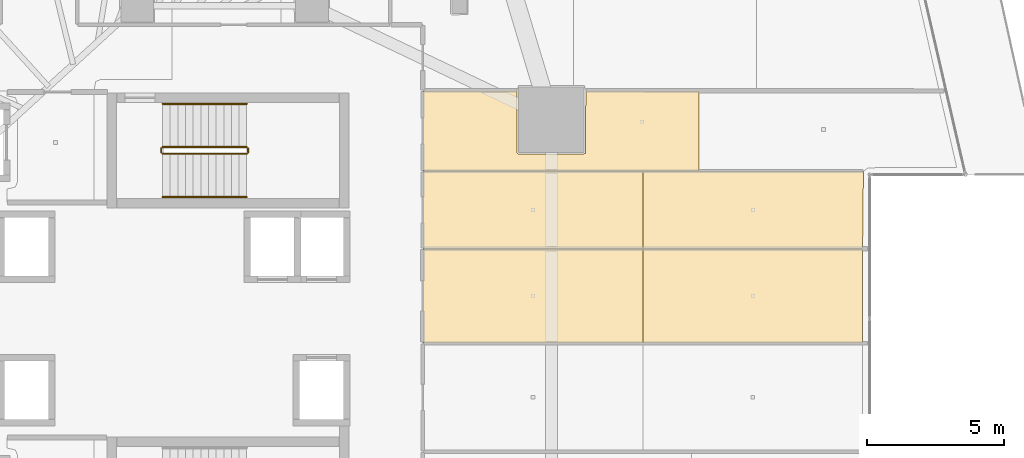
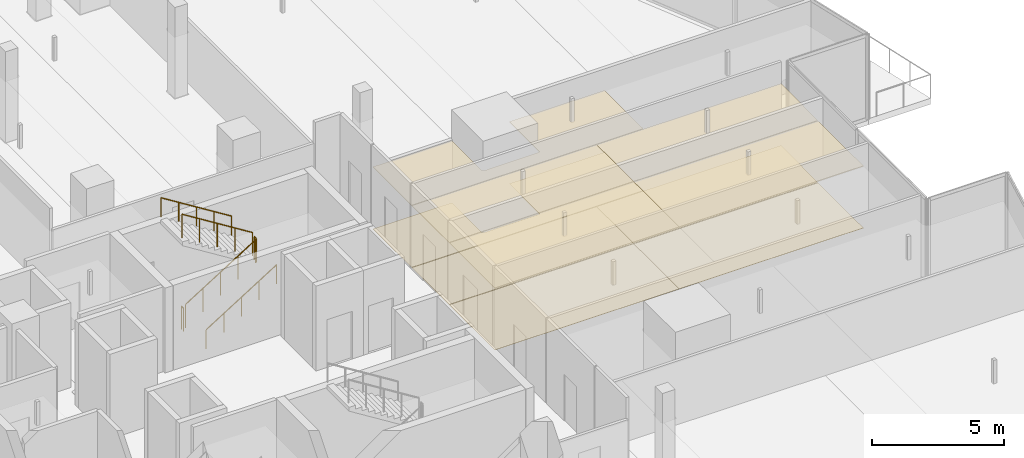
# One storey, part 43 of 44: 10 coverings, 6 railings.
"""IFC4 building model written with IfcOpenShell, lengths in metres."""

from ifc_helpers import new_model, si_unit, direction, frame, origin, origin_2d, place, context, subcontext, project, spatial, polyline, circle, outline, extrude, material, layer, layer_set, type_object, element, save


model = new_model("IFC4")

# Units and contexts
model_context = context("Model", 3, precision=1e-05, world=origin(), true_north=direction((0.0, 1.0)))
body_context = subcontext(model_context, "Body", "Model", "MODEL_VIEW")
ifc_project = project(units=[si_unit("LENGTHUNIT", "METRE"), si_unit("AREAUNIT", "SQUARE_METRE"), si_unit("VOLUMEUNIT", "CUBIC_METRE"), si_unit("PLANEANGLEUNIT", "RADIAN"), si_unit("MASSUNIT", "GRAM", prefix="KILO")], contexts=[model_context])

# Site, building, storey
site_placement = place(None, origin())
site = spatial("IfcSite", under=ifc_project, at=site_placement, CompositionType="ELEMENT")
building_placement = place(site_placement, origin())
building = spatial("IfcBuilding", under=site, at=building_placement, Name="Qorvath Tower", CompositionType="ELEMENT")
storey_placement = place(building_placement, frame((0.0, 0.0, 57.60009765625)))
storey = spatial("IfcBuildingStorey", under=building, at=storey_placement, Name="L12", CompositionType="ELEMENT", Elevation=57.60009765625)

# Coverings
ifc_material_1 = material(Name="Acoustic mineral fibre ceiling tile", Category="gypsum")
ifc_layer_1 = layer(ifc_material_1, 0.030029296875)
ifc_layer_set_1 = layer_set([ifc_layer_1], Name="COV-CEIL")
covering_type_1 = type_object("IfcCoveringType", Name="COV-CEIL", PredefinedType="CEILING", material=ifc_layer_set_1)
covering_1_placement = place(storey_placement, frame((0.0, 0.0, 2.849853515625)))
element("IfcCovering", 1, at=covering_1_placement, inside=storey, type_object=covering_type_1, Name="L12 Suspended Acoustic Ceiling 034", PredefinedType="CEILING", context=body_context, shape_type="SweptSolid", body=[
    extrude(outline(polyline([(-13.136962890625, -0.887451171875), (-5.086181640625, -0.887451171875), (-5.086181640625, 2.552490234375), (-13.136962890625, 2.552490234375), (-13.136962890625, -0.887451171875)])), origin(), (0.0, 0.0, 1.0), 0.030029296875),
])
covering_2_placement = place(storey_placement, frame((0.0, 0.0, 2.849853515625)))
element("IfcCovering", 2, at=covering_2_placement, inside=storey, type_object=covering_type_1, Name="L12 Suspended Acoustic Ceiling 035", PredefinedType="CEILING", context=body_context, shape_type="SweptSolid", body=[
    extrude(outline(polyline([(-5.086181640625, 2.552490234375), (-5.086181640625, -0.887451171875), (2.96435546875, -0.887451171875), (2.96435546875, 2.552490234375), (-5.086181640625, 2.552490234375)])), origin(), (0.0, 0.0, 1.0), 0.030029296875),
])
covering_3_placement = place(storey_placement, frame((0.0, 0.0, 2.849853515625)))
element("IfcCovering", 3, at=covering_3_placement, inside=storey, type_object=covering_type_1, Name="L12 Suspended Acoustic Ceiling 036", PredefinedType="CEILING", context=body_context, shape_type="SweptSolid", body=[
    extrude(outline(polyline([(-13.136962890625, 2.570556640625), (-5.0791015625, 2.570556640625), (-5.0791015625, 5.382568359375), (-13.136962890625, 5.382568359375), (-13.136962890625, 2.570556640625)])), origin(), (0.0, 0.0, 1.0), 0.030029296875),
])
covering_4_placement = place(storey_placement, frame((0.0, 0.0, 2.849853515625)))
element("IfcCovering", 4, at=covering_4_placement, inside=storey, type_object=covering_type_1, Name="L12 Suspended Acoustic Ceiling 037", PredefinedType="CEILING", context=body_context, shape_type="SweptSolid", body=[
    extrude(outline(polyline([(-5.0791015625, 5.382568359375), (-5.0791015625, 2.570556640625), (2.96435546875, 2.570556640625), (2.99365234375, 5.382568359375), (-5.0791015625, 5.382568359375)])), origin(), (0.0, 0.0, 1.0), 0.030029296875),
])
covering_5_placement = place(storey_placement, frame((0.0, 0.0, 2.849853515625)))
element("IfcCovering", 5, at=covering_5_placement, inside=storey, type_object=covering_type_1, Name="L12 Suspended Acoustic Ceiling 038", PredefinedType="CEILING", context=body_context, shape_type="SweptSolid", body=[
    extrude(outline(polyline([(-3.025634765625, 5.400634765625), (-3.025634765625, 8.331298828125), (-7.17041015625, 8.3369140625), (-7.18798828125, 6.033935546875), (-9.63037109375, 6.016357421875), (-9.690185546875, 6.076416015625), (-9.690185546875, 8.3369140625), (-13.136962890625, 8.3369140625), (-13.136962890625, 5.400634765625), (-3.025634765625, 5.400634765625)])), origin(), (0.0, 0.0, 1.0), 0.030029296875),
])
ifc_material_2 = material(Name="Low-VOC modular carpet tile", Category="textile")
ifc_layer_2 = layer(ifc_material_2, 0.014892578125)
ifc_layer_set_2 = layer_set([ifc_layer_2], Name="COV-FLOOR-CPT")
covering_type_2 = type_object("IfcCoveringType", Name="COV-FLOOR-CPT", PredefinedType="FLOORING", material=ifc_layer_set_2)
covering_6_placement = place(storey_placement, origin())
element("IfcCovering", 6, at=covering_6_placement, inside=storey, type_object=covering_type_2, Name="L12 Floor Finish 034", PredefinedType="FLOORING", context=body_context, shape_type="SweptSolid", body=[
    extrude(outline(polyline([(-13.136962890625, -0.887451171875), (-5.086181640625, -0.887451171875), (-5.086181640625, 2.552490234375), (-13.136962890625, 2.552490234375), (-13.136962890625, -0.887451171875)])), origin(), (0.0, 0.0, 1.0), 0.014892578125),
])
covering_7_placement = place(storey_placement, origin())
element("IfcCovering", 7, at=covering_7_placement, inside=storey, type_object=covering_type_2, Name="L12 Floor Finish 035", PredefinedType="FLOORING", context=body_context, shape_type="SweptSolid", body=[
    extrude(outline(polyline([(-5.086181640625, 2.552490234375), (-5.086181640625, -0.887451171875), (2.96435546875, -0.887451171875), (2.96435546875, 2.552490234375), (-5.086181640625, 2.552490234375)])), origin(), (0.0, 0.0, 1.0), 0.014892578125),
])
covering_8_placement = place(storey_placement, origin())
element("IfcCovering", 8, at=covering_8_placement, inside=storey, type_object=covering_type_2, Name="L12 Floor Finish 036", PredefinedType="FLOORING", context=body_context, shape_type="SweptSolid", body=[
    extrude(outline(polyline([(-13.136962890625, 2.570556640625), (-5.0791015625, 2.570556640625), (-5.0791015625, 5.382568359375), (-13.136962890625, 5.382568359375), (-13.136962890625, 2.570556640625)])), origin(), (0.0, 0.0, 1.0), 0.014892578125),
])
covering_9_placement = place(storey_placement, origin())
element("IfcCovering", 9, at=covering_9_placement, inside=storey, type_object=covering_type_2, Name="L12 Floor Finish 037", PredefinedType="FLOORING", context=body_context, shape_type="SweptSolid", body=[
    extrude(outline(polyline([(-5.0791015625, 5.382568359375), (-5.0791015625, 2.570556640625), (2.96435546875, 2.570556640625), (2.99365234375, 5.382568359375), (-5.0791015625, 5.382568359375)])), origin(), (0.0, 0.0, 1.0), 0.014892578125),
])
covering_10_placement = place(storey_placement, origin())
element("IfcCovering", 10, at=covering_10_placement, inside=storey, type_object=covering_type_2, Name="L12 Floor Finish 038", PredefinedType="FLOORING", context=body_context, shape_type="SweptSolid", body=[
    extrude(outline(polyline([(-3.025634765625, 5.400634765625), (-3.025634765625, 8.331298828125), (-7.17041015625, 8.3369140625), (-7.18798828125, 6.033935546875), (-9.63037109375, 6.016357421875), (-9.690185546875, 6.076416015625), (-9.690185546875, 8.3369140625), (-13.136962890625, 8.3369140625), (-13.136962890625, 5.400634765625), (-3.025634765625, 5.400634765625)])), origin(), (0.0, 0.0, 1.0), 0.014892578125),
])

# Railings
ifc_material_3 = material(Name="Painted galvanised steel", Category="steel")
railing_type_1 = type_object("IfcRailingType", Name="RL-STR-GRD", PredefinedType="GUARDRAIL", material=ifc_material_3)
railing_1_placement = place(storey_placement, frame((-22.669921875, 6.030029296875, 0.1748046875)))
element("IfcRailing", 11, at=railing_1_placement, inside=storey, type_object=railing_type_1, Name="L12 TS1 stair guard 1", PredefinedType="GUARDRAIL", context=body_context, shape_type="SweptSolid", body=[
    extrude(circle(Radius=0.02392578125, at=origin_2d()), frame((0.0, 0.0, 1.076171875), z_axis=(0.847979421464, 0.0, 0.530029150871), x_axis=(0.0, 1.0, 0.0)), (0.0, 0.0, 1.0), 3.632080078125),
    extrude(circle(Radius=0.02099609375, at=origin_2d()), origin(), (0.0, 0.0, 1.0), 1.052001953125),
    extrude(circle(Radius=0.02099609375, at=origin_2d()), frame((0.77001953125, 0.0, 0.481201171875)), (0.0, 0.0, 1.0), 1.052001953125),
    extrude(circle(Radius=0.02099609375, at=origin_2d()), frame((1.5400390625, 0.0, 0.96240234375)), (0.0, 0.0, 1.0), 1.052001953125),
    extrude(circle(Radius=0.02099609375, at=origin_2d()), frame((2.309814453125, 0.0, 1.44384765625)), (0.0, 0.0, 1.0), 1.052001953125),
    extrude(circle(Radius=0.02099609375, at=origin_2d()), frame((3.079833984375, 0.0, 1.925048828125)), (0.0, 0.0, 1.0), 1.052001953125),
])
railing_2_placement = place(storey_placement, frame((-19.5400390625, 6.080078125, 2.099853515625)))
element("IfcRailing", 12, at=railing_2_placement, inside=storey, type_object=railing_type_1, Name="L12 TS1 stair guard 2", PredefinedType="GUARDRAIL", context=body_context, shape_type="SweptSolid", body=[
    extrude(circle(Radius=0.02392578125, at=origin_2d()), frame((0.0, 0.0, 1.076171875), z_axis=(0.0, 1.0, 0.0), x_axis=(-1.0, 0.0, 0.0)), (0.0, 0.0, 1.0), 0.14990234375),
    extrude(circle(Radius=0.02099609375, at=origin_2d()), origin(), (0.0, 0.0, 1.0), 1.052001953125),
    extrude(circle(Radius=0.02099609375, at=origin_2d()), frame((0.0, 0.14990234375, 0.0)), (0.0, 0.0, 1.0), 1.052001953125),
])
railing_3_placement = place(storey_placement, frame((-19.590087890625, 6.280029296875, 2.27490234375)))
element("IfcRailing", 13, at=railing_3_placement, inside=storey, type_object=railing_type_1, Name="L12 TS1 stair guard 3", PredefinedType="GUARDRAIL", context=body_context, shape_type="SweptSolid", body=[
    extrude(circle(Radius=0.02392578125, at=origin_2d()), frame((0.0, 0.0, 1.076171875), z_axis=(-0.847979421464, 0.0, 0.530029150871), x_axis=(0.0, -1.0, 0.0)), (0.0, 0.0, 1.0), 3.632080078125),
    extrude(circle(Radius=0.02099609375, at=origin_2d()), origin(), (0.0, 0.0, 1.0), 1.052001953125),
    extrude(circle(Radius=0.02099609375, at=origin_2d()), frame((-0.77001953125, 0.0, 0.481201171875)), (0.0, 0.0, 1.0), 1.052001953125),
    extrude(circle(Radius=0.02099609375, at=origin_2d()), frame((-1.5400390625, 0.0, 0.96240234375)), (0.0, 0.0, 1.0), 1.052001953125),
    extrude(circle(Radius=0.02099609375, at=origin_2d()), frame((-2.309814453125, 0.0, 1.44384765625)), (0.0, 0.0, 1.0), 1.052001953125),
    extrude(circle(Radius=0.02099609375, at=origin_2d()), frame((-3.079833984375, 0.0, 1.925048828125)), (0.0, 0.0, 1.0), 1.052001953125),
])
railing_4_placement = place(storey_placement, frame((-22.719970703125, 6.080078125, 0.0)))
element("IfcRailing", 14, at=railing_4_placement, inside=storey, type_object=railing_type_1, Name="L12 TS1 stair guard 4", PredefinedType="GUARDRAIL", context=body_context, shape_type="SweptSolid", body=[
    extrude(circle(Radius=0.02392578125, at=origin_2d()), frame((0.0, 0.0, 1.076171875), z_axis=(0.0, 1.0, 0.0), x_axis=(-1.0, 0.0, 0.0)), (0.0, 0.0, 1.0), 0.14990234375),
    extrude(circle(Radius=0.02099609375, at=origin_2d()), origin(), (0.0, 0.0, 1.0), 1.052001953125),
    extrude(circle(Radius=0.02099609375, at=origin_2d()), frame((0.0, 0.14990234375, 0.0)), (0.0, 0.0, 1.0), 1.052001953125),
])
ifc_material_4 = material(Name="Brushed stainless steel AISI 304", Category="steel")
railing_type_2 = type_object("IfcRailingType", Name="RL-STR-HND", PredefinedType="HANDRAIL", material=ifc_material_4)
railing_5_placement = place(storey_placement, frame((-22.669921875, 4.449951171875, 0.1748046875)))
element("IfcRailing", 15, at=railing_5_placement, inside=storey, type_object=railing_type_2, Name="L12 TS1 stair handrail 1", PredefinedType="HANDRAIL", context=body_context, shape_type="SweptSolid", body=[
    extrude(circle(Radius=0.02392578125, at=origin_2d()), frame((0.0, 0.0, 0.8759765625), z_axis=(0.847979421464, 0.0, 0.530029150871), x_axis=(0.0, 1.0, 0.0)), (0.0, 0.0, 1.0), 3.632080078125),
    extrude(circle(Radius=0.02099609375, at=origin_2d()), origin(), (0.0, 0.0, 1.0), 0.851806640625),
    extrude(circle(Radius=0.02099609375, at=origin_2d()), frame((0.77001953125, 0.0, 0.481201171875)), (0.0, 0.0, 1.0), 0.851806640625),
    extrude(circle(Radius=0.02099609375, at=origin_2d()), frame((1.5400390625, 0.0, 0.96240234375)), (0.0, 0.0, 1.0), 0.851806640625),
    extrude(circle(Radius=0.02099609375, at=origin_2d()), frame((2.309814453125, 0.0, 1.44384765625)), (0.0, 0.0, 1.0), 0.851806640625),
    extrude(circle(Radius=0.02099609375, at=origin_2d()), frame((3.079833984375, 0.0, 1.925048828125)), (0.0, 0.0, 1.0), 0.851806640625),
])
railing_6_placement = place(storey_placement, frame((-19.590087890625, 7.860107421875, 2.27490234375)))
element("IfcRailing", 16, at=railing_6_placement, inside=storey, type_object=railing_type_2, Name="L12 TS1 stair handrail 2", PredefinedType="HANDRAIL", context=body_context, shape_type="SweptSolid", body=[
    extrude(circle(Radius=0.02392578125, at=origin_2d()), frame((0.0, 0.0, 0.8759765625), z_axis=(-0.847979421464, 0.0, 0.530029150871), x_axis=(0.0, -1.0, 0.0)), (0.0, 0.0, 1.0), 3.632080078125),
    extrude(circle(Radius=0.02099609375, at=origin_2d()), origin(), (0.0, 0.0, 1.0), 0.851806640625),
    extrude(circle(Radius=0.02099609375, at=origin_2d()), frame((-0.77001953125, 0.0, 0.481201171875)), (0.0, 0.0, 1.0), 0.851806640625),
    extrude(circle(Radius=0.02099609375, at=origin_2d()), frame((-1.5400390625, 0.0, 0.96240234375)), (0.0, 0.0, 1.0), 0.851806640625),
    extrude(circle(Radius=0.02099609375, at=origin_2d()), frame((-2.309814453125, 0.0, 1.44384765625)), (0.0, 0.0, 1.0), 0.851806640625),
    extrude(circle(Radius=0.02099609375, at=origin_2d()), frame((-3.079833984375, 0.0, 1.925048828125)), (0.0, 0.0, 1.0), 0.851806640625),
])

save(model, "model.ifc")
